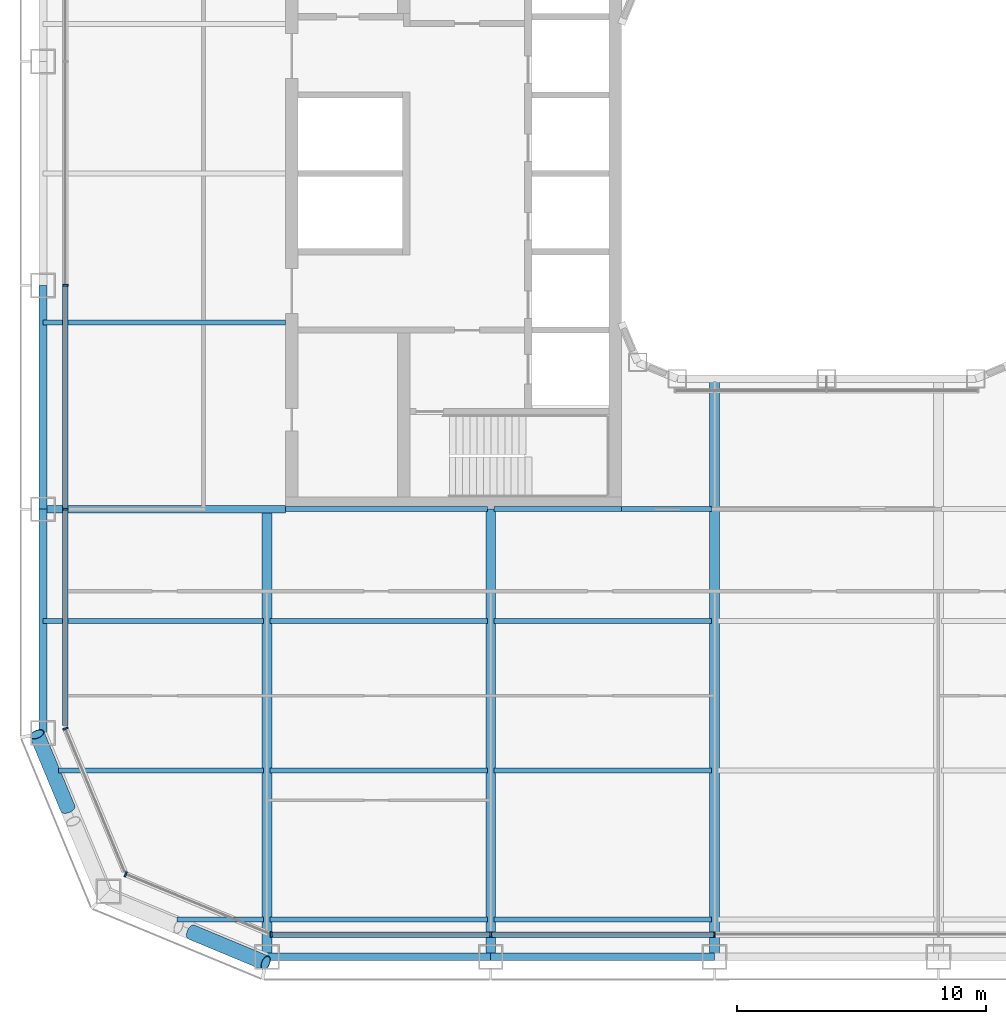
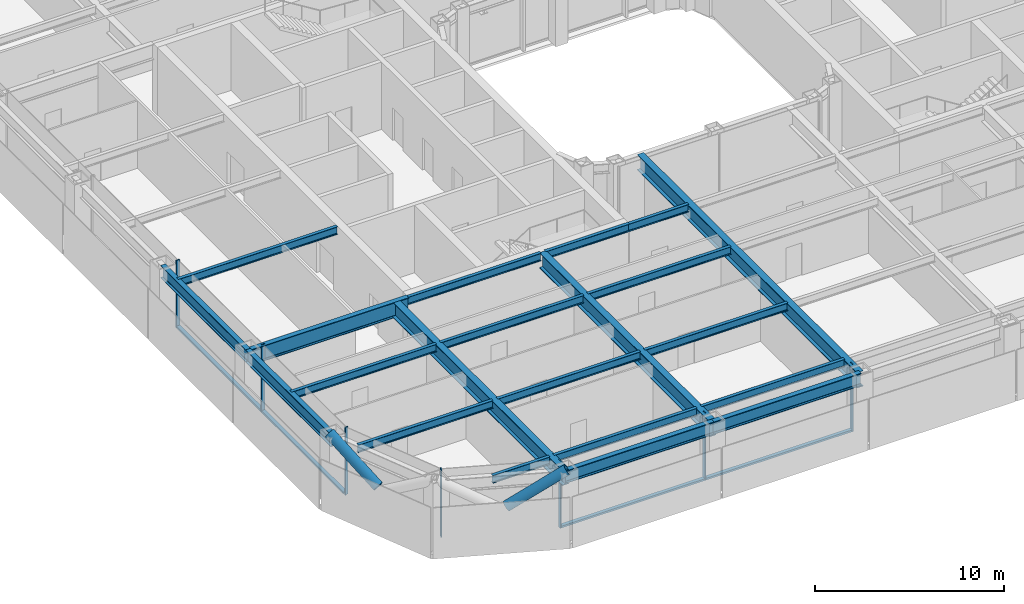
# One storey, part 2 of 30: 21 beams, 13 members, 4 elements without a shape of their own.
"""IFC4 building model written with IfcOpenShell, lengths in metres."""

from ifc_helpers import new_model, si_unit, direction, frame, origin, origin_2d, place, context, subcontext, project, spatial, rectangle, hollow_circle, i_section, extrude, material, layer, layer_set, material_profile, profile_set, type_object, element, aggregate, save


model = new_model("IFC4")

# Units and contexts
model_context = context("Model", 3, precision=1e-05, world=origin(), true_north=direction((0.0, 1.0)))
body_context = subcontext(model_context, "Body", "Model", "MODEL_VIEW")
ifc_project = project(units=[si_unit("LENGTHUNIT", "METRE"), si_unit("AREAUNIT", "SQUARE_METRE"), si_unit("VOLUMEUNIT", "CUBIC_METRE"), si_unit("PLANEANGLEUNIT", "RADIAN"), si_unit("MASSUNIT", "GRAM", prefix="KILO")], contexts=[model_context])

# Site, building, storey
site_placement = place(None, origin())
site = spatial("IfcSite", under=ifc_project, at=site_placement, CompositionType="ELEMENT")
building_placement = place(site_placement, origin())
building = spatial("IfcBuilding", under=site, at=building_placement, Name="Siwar Civic Tower", CompositionType="ELEMENT")
storey_placement = place(building_placement, frame((0.0, 0.0, 80.699951171875)))
storey = spatial("IfcBuildingStorey", under=building, at=storey_placement, Name="L17", CompositionType="ELEMENT", Elevation=80.699951171875)

# Curtain wall, members
ifc_material_1 = material(Name="Aluminium and glass", Category="aluminium")
ifc_layer_1 = layer(ifc_material_1, 0.219970703125)
ifc_layer_set_1 = layer_set([ifc_layer_1], Name="Aluminium and glass")
curtain_wall_type_1 = type_object("IfcCurtainWallType", Name="ENV-CW-A", PredefinedType="NOTDEFINED", material=ifc_layer_set_1)
curtain_wall_1_placement = place(storey_placement, origin())
curtain_wall_1 = element("IfcCurtainWall", 1, at=curtain_wall_1_placement, inside=storey, type_object=curtain_wall_type_1, Name="Curtain wall A S", PredefinedType="NOTDEFINED")
ifc_material_2 = material(Name="Aluminium 6063-T6", Category="aluminium")
ifc_material_profile_1 = material_profile(ifc_material_2, rectangle(XDim=0.219970703125, YDim=0.070068359375, at=origin_2d()), Name="AL 220x70")
ifc_profile_set_1 = profile_set([ifc_material_profile_1], Name="Aluminium 6063-T6")
member_type_1 = type_object("IfcMemberType", Name="ENV-MULLION-A", PredefinedType="MULLION", material=ifc_profile_set_1)
member_1_placement = place(storey_placement, frame((-22.321044921875, -30.60009765625, 0.0), z_axis=(0.0, 0.0, 1.0), x_axis=(0.0, 1.0, 0.0)))
member_1 = element("IfcMember", 2, at=member_1_placement, type_object=member_type_1, Name="Mullion A S 1", PredefinedType="MULLION", context=body_context, shape_type="SweptSolid", body=[
    extrude(rectangle(XDim=0.219970703125, YDim=0.070068359375, at=origin_2d()), origin(), (0.0, 0.0, 1.0), 4.35009765625),
])
member_2_placement = place(storey_placement, frame((-13.5, -30.60009765625, 0.0), z_axis=(0.0, 0.0, 1.0), x_axis=(0.0, 1.0, 0.0)))
member_2 = element("IfcMember", 3, at=member_2_placement, type_object=member_type_1, Name="Mullion A S 2", PredefinedType="MULLION", context=body_context, shape_type="SweptSolid", body=[
    extrude(rectangle(XDim=0.219970703125, YDim=0.070068359375, at=origin_2d()), origin(), (0.0, 0.0, 1.0), 4.35009765625),
])
member_3_placement = place(storey_placement, frame((-4.5, -30.60009765625, 0.0), z_axis=(0.0, 0.0, 1.0), x_axis=(0.0, 1.0, 0.0)))
member_3 = element("IfcMember", 4, at=member_3_placement, type_object=member_type_1, Name="Mullion A S 3", PredefinedType="MULLION", context=body_context, shape_type="SweptSolid", body=[
    extrude(rectangle(XDim=0.219970703125, YDim=0.070068359375, at=origin_2d()), origin(), (0.0, 0.0, 1.0), 4.35009765625),
])

curtain_wall_2_placement = place(storey_placement, origin())
curtain_wall_2 = element("IfcCurtainWall", 5, at=curtain_wall_2_placement, inside=storey, type_object=curtain_wall_type_1, Name="Curtain wall A W", PredefinedType="NOTDEFINED")
member_4_placement = place(storey_placement, frame((-30.60009765625, -4.5, 0.0), z_axis=(0.0, 0.0, 1.0), x_axis=(1.0, 0.0, 0.0)))
member_4 = element("IfcMember", 6, at=member_4_placement, type_object=member_type_1, Name="Mullion A W 4", PredefinedType="MULLION", context=body_context, shape_type="SweptSolid", body=[
    extrude(rectangle(XDim=0.219970703125, YDim=0.070068359375, at=origin_2d()), origin(), (0.0, 0.0, 1.0), 4.35009765625),
])
member_5_placement = place(storey_placement, frame((-30.60009765625, -13.5, 0.0), z_axis=(0.0, 0.0, 1.0), x_axis=(1.0, 0.0, 0.0)))
member_5 = element("IfcMember", 7, at=member_5_placement, type_object=member_type_1, Name="Mullion A W 5", PredefinedType="MULLION", context=body_context, shape_type="SweptSolid", body=[
    extrude(rectangle(XDim=0.219970703125, YDim=0.070068359375, at=origin_2d()), origin(), (0.0, 0.0, 1.0), 4.35009765625),
])

# Curtain wall, member
ifc_material_3 = material(Name="Aluminium clad insulated panel", Category="aluminium")
ifc_layer_2 = layer(ifc_material_3, 0.219970703125)
ifc_layer_set_2 = layer_set([ifc_layer_2], Name="Aluminium clad insulated panel")
curtain_wall_type_2 = type_object("IfcCurtainWallType", Name="ENV-CW-AX", PredefinedType="NOTDEFINED", material=ifc_layer_set_2)
curtain_wall_3_placement = place(storey_placement, origin())
curtain_wall_3 = element("IfcCurtainWall", 8, at=curtain_wall_3_placement, inside=storey, type_object=curtain_wall_type_2, Name="Curtain wall A SW1", PredefinedType="NOTDEFINED")
member_6_placement = place(storey_placement, frame((-30.60009765625, -22.321044921875, 0.0), z_axis=(0.0, 0.0, 1.0), x_axis=(0.923879532511, 0.382683432365, 0.0)))
member_6 = element("IfcMember", 9, at=member_6_placement, type_object=member_type_1, Name="Mullion A SW1 1", PredefinedType="MULLION", context=body_context, shape_type="SweptSolid", body=[
    extrude(rectangle(XDim=0.219970703125, YDim=0.070068359375, at=origin_2d()), origin(), (0.0, 0.0, 1.0), 4.35009765625),
])
aggregate(curtain_wall_3, [member_6])

curtain_wall_4_placement = place(storey_placement, origin())
curtain_wall_4 = element("IfcCurtainWall", 10, at=curtain_wall_4_placement, inside=storey, type_object=curtain_wall_type_2, Name="Curtain wall A SW2", PredefinedType="NOTDEFINED")
member_7_placement = place(storey_placement, frame((-28.175048828125, -28.175048828125, 0.0), z_axis=(0.0, 0.0, 1.0), x_axis=(0.382683432365, 0.923879532511, 0.0)))
member_7 = element("IfcMember", 11, at=member_7_placement, type_object=member_type_1, Name="Mullion A SW2 1", PredefinedType="MULLION", context=body_context, shape_type="SweptSolid", body=[
    extrude(rectangle(XDim=0.219970703125, YDim=0.070068359375, at=origin_2d()), origin(), (0.0, 0.0, 1.0), 4.35009765625),
])
aggregate(curtain_wall_4, [member_7])

# Member
ifc_material_4 = material(Name="Aluminium 6063-T6", Category="aluminium")
ifc_material_profile_2 = material_profile(ifc_material_4, rectangle(XDim=0.219970703125, YDim=0.1201171875, at=origin_2d()), Name="AL 220x120")
ifc_profile_set_2 = profile_set([ifc_material_profile_2], Name="Aluminium 6063-T6")
member_type_2 = type_object("IfcMemberType", Name="ENV-TRANSOM-A", PredefinedType="USERDEFINED", material=ifc_profile_set_2)
member_8_placement = place(storey_placement, frame((-22.285888671875, -30.60009765625, 0.06005859375), z_axis=(1.0, 0.0, 0.0), x_axis=(0.0, 1.0, 0.0)))
member_8 = element("IfcMember", 12, at=member_8_placement, type_object=member_type_2, Name="Transom A S 1", ObjectType="TRANSOM", PredefinedType="USERDEFINED", context=body_context, shape_type="SweptSolid", body=[
    extrude(rectangle(XDim=0.219970703125, YDim=0.1201171875, at=origin_2d()), origin(), (0.0, 0.0, 1.0), 8.7509765625),
])

member_9_placement = place(storey_placement, frame((-13.465087890625, -30.60009765625, 0.06005859375), z_axis=(1.0, 0.0, 0.0), x_axis=(0.0, 1.0, 0.0)))
member_9 = element("IfcMember", 13, at=member_9_placement, type_object=member_type_2, Name="Transom A S 2", ObjectType="TRANSOM", PredefinedType="USERDEFINED", context=body_context, shape_type="SweptSolid", body=[
    extrude(rectangle(XDim=0.219970703125, YDim=0.1201171875, at=origin_2d()), origin(), (0.0, 0.0, 1.0), 8.93017578125),
])

aggregate(curtain_wall_1, [member_1, member_2, member_3, member_8, member_9])

member_10_placement = place(storey_placement, frame((-30.60009765625, -4.534912109375, 0.06005859375), z_axis=(0.0, -1.0, 0.0), x_axis=(1.0, 0.0, 0.0)))
member_10 = element("IfcMember", 14, at=member_10_placement, type_object=member_type_2, Name="Transom A W 4", ObjectType="TRANSOM", PredefinedType="USERDEFINED", context=body_context, shape_type="SweptSolid", body=[
    extrude(rectangle(XDim=0.219970703125, YDim=0.1201171875, at=origin_2d()), origin(), (0.0, 0.0, 1.0), 8.93017578125),
])

member_11_placement = place(storey_placement, frame((-30.60009765625, -13.534912109375, 0.06005859375), z_axis=(0.0, -1.0, 0.0), x_axis=(1.0, 0.0, 0.0)))
member_11 = element("IfcMember", 15, at=member_11_placement, type_object=member_type_2, Name="Transom A W 5", ObjectType="TRANSOM", PredefinedType="USERDEFINED", context=body_context, shape_type="SweptSolid", body=[
    extrude(rectangle(XDim=0.219970703125, YDim=0.1201171875, at=origin_2d()), origin(), (0.0, 0.0, 1.0), 8.66357421875),
])

aggregate(curtain_wall_2, [member_4, member_5, member_10, member_11])

# Members
ifc_material_5 = material(Name="Steel S355", Category="steel")
ifc_material_profile_3 = material_profile(ifc_material_5, hollow_circle(Radius=0.304931640625, WallThickness=0.030029296875, at=origin_2d()), Name="CHS610x30")
ifc_profile_set_3 = profile_set([ifc_material_profile_3], Name="Steel S355")
member_type_3 = type_object("IfcMemberType", Name="STR-BR-CHS610x30", PredefinedType="BRACE", material=ifc_profile_set_3)
for number, where, z_axis, x_axis, name in (
    (16, (-25.537353515625, -30.500244140625, 2.428466796875), (0.777559680196, -0.3238932121, 0.53897507446), (0.384524353215, 0.923114847559, 0.0), "L17/brc/ASW1-16-0-3"),
    (17, (-30.500244140625, -25.537353515625, 2.428466796875), (-0.3238932121, 0.777559680196, 0.53897507446), (-0.923114847559, -0.384524353215, 0.0), "L17/brc/ASW1-16-0-5"),
):
    element("IfcMember", number, at=place(storey_placement, frame(where, z_axis=z_axis, x_axis=x_axis)), inside=storey, type_object=member_type_3, Name=name, PredefinedType="BRACE", context=body_context, shape_type="SweptSolid", body=[
        extrude(hollow_circle(Radius=0.304931640625, WallThickness=0.030029296875, at=origin_2d()), origin(), (0.0, 0.0, 1.0), 3.843505859375),
    ])

# Beams
ifc_material_6 = material(Name="Steel S355", Category="steel")
ifc_material_profile_4 = material_profile(ifc_material_6, i_section(OverallWidth=0.199951171875, OverallDepth=0.5, WebThickness=0.01025390625, FlangeThickness=0.01611328125, FilletRadius=0.02099609375, at=origin_2d()), Name="IPE500")
ifc_profile_set_4 = profile_set([ifc_material_profile_4], Name="Steel S355")
beam_type_1 = type_object("IfcBeamType", Name="STR-FB-IPE500", PredefinedType="JOIST", material=ifc_profile_set_4)
beam_1_placement = place(storey_placement, frame((-26.121337890625, -30.0, 4.10009765625), z_axis=(1.0, 0.0, 0.0), x_axis=(0.0, 1.0, 0.0)))
element("IfcBeam", 18, at=beam_1_placement, inside=storey, type_object=beam_type_1, Name="L17/bm/F001", PredefinedType="JOIST", context=body_context, shape_type="SweptSolid", body=[
    extrude(i_section(OverallWidth=0.199951171875, OverallDepth=0.5, WebThickness=0.01025390625, FlangeThickness=0.01611328125, FilletRadius=0.02099609375, at=origin_2d()), origin(), (0.0, 0.0, 1.0), 3.491455078125),
])
for number, where, z_axis, x_axis, name in (
    (19, (-22.3701171875, -30.0, 4.10009765625), (1.0, 0.0, 0.0), (0.0, 1.0, 0.0), "L17/bm/F002"),
    (20, (-13.3701171875, -30.0, 4.10009765625), (1.0, 0.0, 0.0), (0.0, 1.0, 0.0), "L17/bm/F003"),
):
    element("IfcBeam", number, at=place(storey_placement, frame(where, z_axis=z_axis, x_axis=x_axis)), inside=storey, type_object=beam_type_1, Name=name, PredefinedType="JOIST", context=body_context, shape_type="SweptSolid", body=[
        extrude(i_section(OverallWidth=0.199951171875, OverallDepth=0.5, WebThickness=0.01025390625, FlangeThickness=0.01611328125, FilletRadius=0.02099609375, at=origin_2d()), origin(), (0.0, 0.0, 1.0), 8.740234375),
    ])
beam_2_placement = place(storey_placement, frame((-30.878662109375, -24.0, 4.10009765625), z_axis=(1.0, 0.0, 0.0), x_axis=(0.0, 1.0, 0.0)))
element("IfcBeam", 21, at=beam_2_placement, inside=storey, type_object=beam_type_1, Name="L17/bm/F008", PredefinedType="JOIST", context=body_context, shape_type="SweptSolid", body=[
    extrude(i_section(OverallWidth=0.199951171875, OverallDepth=0.5, WebThickness=0.01025390625, FlangeThickness=0.01611328125, FilletRadius=0.02099609375, at=origin_2d()), origin(), (0.0, 0.0, 1.0), 8.248779296875),
])
for number, where, z_axis, x_axis, name in (
    (22, (-22.3701171875, -24.0, 4.10009765625), (1.0, 0.0, 0.0), (0.0, 1.0, 0.0), "L17/bm/F009"),
    (23, (-13.3701171875, -24.0, 4.10009765625), (1.0, 0.0, 0.0), (0.0, 1.0, 0.0), "L17/bm/F010"),
):
    element("IfcBeam", number, at=place(storey_placement, frame(where, z_axis=z_axis, x_axis=x_axis)), inside=storey, type_object=beam_type_1, Name=name, PredefinedType="JOIST", context=body_context, shape_type="SweptSolid", body=[
        extrude(i_section(OverallWidth=0.199951171875, OverallDepth=0.5, WebThickness=0.01025390625, FlangeThickness=0.01611328125, FilletRadius=0.02099609375, at=origin_2d()), origin(), (0.0, 0.0, 1.0), 8.740234375),
    ])
beam_3_placement = place(storey_placement, frame((-31.5, -18.0, 4.10009765625), z_axis=(1.0, 0.0, 0.0), x_axis=(0.0, 1.0, 0.0)))
element("IfcBeam", 24, at=beam_3_placement, inside=storey, type_object=beam_type_1, Name="L17/bm/F015", PredefinedType="JOIST", context=body_context, shape_type="SweptSolid", body=[
    extrude(i_section(OverallWidth=0.199951171875, OverallDepth=0.5, WebThickness=0.01025390625, FlangeThickness=0.01611328125, FilletRadius=0.02099609375, at=origin_2d()), origin(), (0.0, 0.0, 1.0), 8.8701171875),
])
for number, where, z_axis, x_axis, name in (
    (25, (-22.3701171875, -18.0, 4.10009765625), (1.0, 0.0, 0.0), (0.0, 1.0, 0.0), "L17/bm/F016"),
    (26, (-13.3701171875, -18.0, 4.10009765625), (1.0, 0.0, 0.0), (0.0, 1.0, 0.0), "L17/bm/F017"),
):
    element("IfcBeam", number, at=place(storey_placement, frame(where, z_axis=z_axis, x_axis=x_axis)), inside=storey, type_object=beam_type_1, Name=name, PredefinedType="JOIST", context=body_context, shape_type="SweptSolid", body=[
        extrude(i_section(OverallWidth=0.199951171875, OverallDepth=0.5, WebThickness=0.01025390625, FlangeThickness=0.01611328125, FilletRadius=0.02099609375, at=origin_2d()), origin(), (0.0, 0.0, 1.0), 8.740234375),
    ])
beam_4_placement = place(storey_placement, frame((-21.75, -13.5, 4.10009765625), z_axis=(1.0, 0.0, 0.0), x_axis=(0.0, 1.0, 0.0)))
element("IfcBeam", 27, at=beam_4_placement, inside=storey, type_object=beam_type_1, Name="L17/bm/F023", PredefinedType="JOIST", context=body_context, shape_type="SweptSolid", body=[
    extrude(i_section(OverallWidth=0.199951171875, OverallDepth=0.5, WebThickness=0.01025390625, FlangeThickness=0.01611328125, FilletRadius=0.02099609375, at=origin_2d()), origin(), (0.0, 0.0, 1.0), 8.1201171875),
])
beam_5_placement = place(storey_placement, frame((-13.3701171875, -13.5, 4.10009765625), z_axis=(1.0, 0.0, 0.0), x_axis=(0.0, 1.0, 0.0)))
element("IfcBeam", 28, at=beam_5_placement, inside=storey, type_object=beam_type_1, Name="L17/bm/F024", PredefinedType="JOIST", context=body_context, shape_type="SweptSolid", body=[
    extrude(i_section(OverallWidth=0.199951171875, OverallDepth=0.5, WebThickness=0.01025390625, FlangeThickness=0.01611328125, FilletRadius=0.02099609375, at=origin_2d()), origin(), (0.0, 0.0, 1.0), 5.1201171875),
])
beam_6_placement = place(storey_placement, frame((-8.25, -13.5, 4.10009765625), z_axis=(1.0, 0.0, 0.0), x_axis=(0.0, 1.0, 0.0)))
element("IfcBeam", 29, at=beam_6_placement, inside=storey, type_object=beam_type_1, Name="L17/bm/F025", PredefinedType="JOIST", context=body_context, shape_type="SweptSolid", body=[
    extrude(i_section(OverallWidth=0.199951171875, OverallDepth=0.5, WebThickness=0.01025390625, FlangeThickness=0.01611328125, FilletRadius=0.02099609375, at=origin_2d()), origin(), (0.0, 0.0, 1.0), 3.6201171875),
])
beam_7_placement = place(storey_placement, frame((-31.5, -6.0, 4.10009765625), z_axis=(1.0, 0.0, 0.0), x_axis=(0.0, 1.0, 0.0)))
element("IfcBeam", 30, at=beam_7_placement, inside=storey, type_object=beam_type_1, Name="L17/bm/F031", PredefinedType="JOIST", context=body_context, shape_type="SweptSolid", body=[
    extrude(i_section(OverallWidth=0.199951171875, OverallDepth=0.5, WebThickness=0.01025390625, FlangeThickness=0.01611328125, FilletRadius=0.02099609375, at=origin_2d()), origin(), (0.0, 0.0, 1.0), 9.75),
])
ifc_material_7 = material(Name="Steel S355", Category="steel")
ifc_material_profile_5 = material_profile(ifc_material_7, i_section(OverallWidth=0.300048828125, OverallDepth=1.0, WebThickness=0.01904296875, FlangeThickness=0.035888671875, FilletRadius=0.030029296875, at=origin_2d()), Name="HEB1000")
ifc_profile_set_5 = profile_set([ifc_material_profile_5], Name="Steel S355")
beam_type_2 = type_object("IfcBeamType", Name="STR-PG-HEB1000", PredefinedType="BEAM", material=ifc_profile_set_5)
beam_8_placement = place(storey_placement, frame((-31.5, -13.5, 3.85009765625), z_axis=(1.0, 0.0, 0.0), x_axis=(0.0, 1.0, 0.0)))
element("IfcBeam", 31, at=beam_8_placement, inside=storey, type_object=beam_type_2, Name="L17/bm/F022", PredefinedType="BEAM", context=body_context, shape_type="SweptSolid", body=[
    extrude(i_section(OverallWidth=0.300048828125, OverallDepth=1.0, WebThickness=0.01904296875, FlangeThickness=0.035888671875, FilletRadius=0.030029296875, at=origin_2d()), origin(), (0.0, 0.0, 1.0), 9.75),
])
ifc_material_8 = material(Name="Steel S355", Category="steel")
ifc_material_profile_6 = material_profile(ifc_material_8, i_section(OverallWidth=0.39990234375, OverallDepth=1.0, WebThickness=0.01611328125, FlangeThickness=0.0400390625, at=origin_2d()), Name="PG1000x400x16x40")
ifc_profile_set_6 = profile_set([ifc_material_profile_6], Name="Steel S355")
beam_type_3 = type_object("IfcBeamType", Name="STR-PG-PG1000x400x16x40", PredefinedType="BEAM", material=ifc_profile_set_6)
for number, where, z_axis, x_axis, name in (
    (32, (-22.5, -31.5, 3.85009765625), (0.0, 1.0, 0.0), (-1.0, 0.0, 0.0), "L17/bm/G01"),
    (33, (-13.5, -31.5, 3.85009765625), (0.0, 1.0, 0.0), (-1.0, 0.0, 0.0), "L17/bm/G03"),
):
    element("IfcBeam", number, at=place(storey_placement, frame(where, z_axis=z_axis, x_axis=x_axis)), inside=storey, type_object=beam_type_3, Name=name, PredefinedType="BEAM", context=body_context, shape_type="SweptSolid", body=[
        extrude(i_section(OverallWidth=0.39990234375, OverallDepth=1.0, WebThickness=0.01611328125, FlangeThickness=0.0400390625, at=origin_2d()), origin(), (0.0, 0.0, 1.0), 18.0),
    ])
beam_9_placement = place(storey_placement, frame((-4.5, -31.5, 3.85009765625), z_axis=(0.0, 1.0, 0.0), x_axis=(-1.0, 0.0, 0.0)))
element("IfcBeam", 34, at=beam_9_placement, inside=storey, type_object=beam_type_3, Name="L17/bm/G05", PredefinedType="BEAM", context=body_context, shape_type="SweptSolid", body=[
    extrude(i_section(OverallWidth=0.39990234375, OverallDepth=1.0, WebThickness=0.01611328125, FlangeThickness=0.0400390625, at=origin_2d()), origin(), (0.0, 0.0, 1.0), 23.25),
])
ifc_material_9 = material(Name="Steel S355", Category="steel")
ifc_material_profile_7 = material_profile(ifc_material_9, i_section(OverallWidth=0.302978515625, OverallDepth=0.81396484375, WebThickness=0.02099609375, FlangeThickness=0.0400390625, FilletRadius=0.030029296875, at=origin_2d()), Name="HEM800")
ifc_profile_set_7 = profile_set([ifc_material_profile_7], Name="Steel S355")
beam_type_4 = type_object("IfcBeamType", Name="STR-SB-HEM800", PredefinedType="BEAM", material=ifc_profile_set_7)
for number, where, z_axis, x_axis, name in (
    (35, (-22.5, -31.5, 3.943115234375), (1.0, 0.0, 0.0), (0.0, 1.0, 0.0), "L17/bm/SS-0"),
    (36, (-13.5, -31.5, 3.943115234375), (1.0, 0.0, 0.0), (0.0, 1.0, 0.0), "L17/bm/SS-1"),
    (37, (-31.5, -4.5, 3.943115234375), (0.0, -1.0, 0.0), (1.0, 0.0, 0.0), "L17/bm/SW-3"),
    (38, (-31.5, -13.5, 3.943115234375), (0.0, -1.0, 0.0), (1.0, 0.0, 0.0), "L17/bm/SW-4"),
):
    element("IfcBeam", number, at=place(storey_placement, frame(where, z_axis=z_axis, x_axis=x_axis)), inside=storey, type_object=beam_type_4, Name=name, PredefinedType="BEAM", context=body_context, shape_type="SweptSolid", body=[
        extrude(i_section(OverallWidth=0.302978515625, OverallDepth=0.81396484375, WebThickness=0.02099609375, FlangeThickness=0.0400390625, FilletRadius=0.030029296875, at=origin_2d()), origin(), (0.0, 0.0, 1.0), 9.0),
    ])

save(model, "model.ifc")
